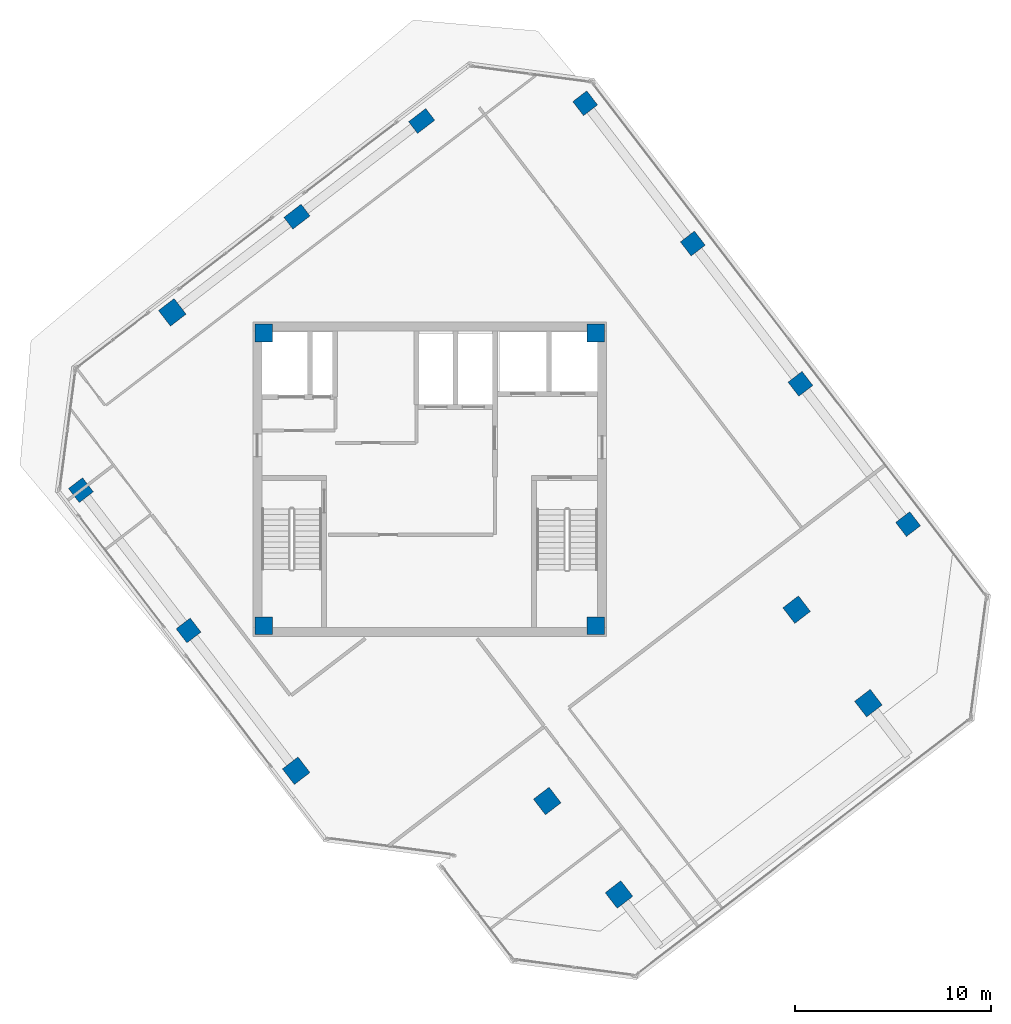
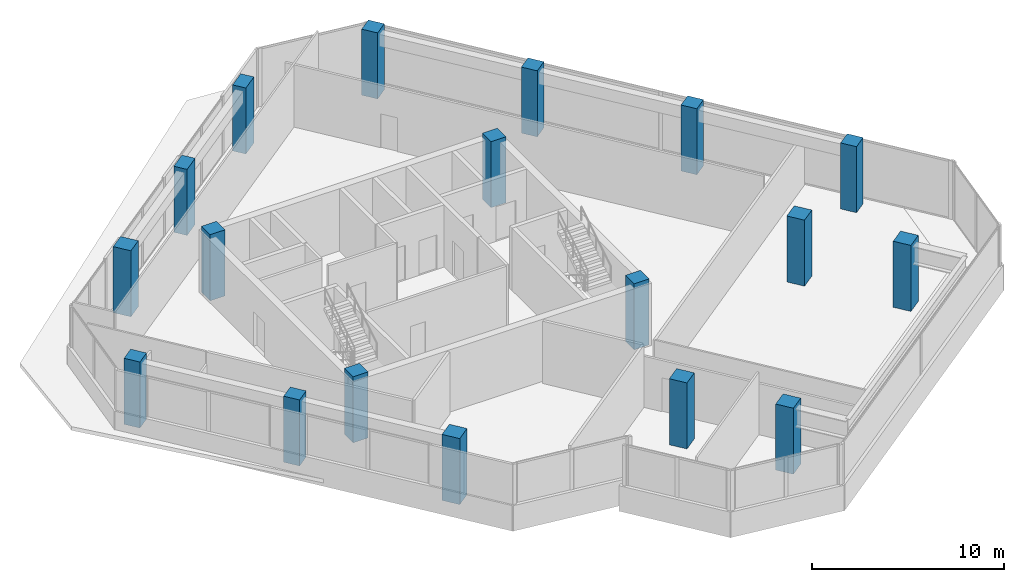
# One storey, part 1 of 17: 18 columns.
"""IFC4 building model written with IfcOpenShell, lengths in metres."""

from ifc_helpers import new_model, si_unit, direction, frame, origin, origin_2d, place, context, subcontext, project, spatial, rectangle, extrude, source, transform, mapped, material, material_profile, profile_set, type_object, element, save


model = new_model("IFC4")

# Units and contexts
model_context = context("Model", 3, precision=1e-05, world=origin(), true_north=direction((0.0, 1.0)))
body_context = subcontext(model_context, "Body", "Model", "MODEL_VIEW")
ifc_project = project(units=[si_unit("LENGTHUNIT", "METRE"), si_unit("AREAUNIT", "SQUARE_METRE"), si_unit("VOLUMEUNIT", "CUBIC_METRE"), si_unit("PLANEANGLEUNIT", "RADIAN"), si_unit("MASSUNIT", "GRAM", prefix="KILO")], contexts=[model_context])

# Site, building, storey
site_placement = place(None, origin())
site = spatial("IfcSite", under=ifc_project, at=site_placement, CompositionType="ELEMENT")
building_placement = place(site_placement, origin())
building = spatial("IfcBuilding", under=site, at=building_placement, Name="Torre Montelarca", CompositionType="ELEMENT")
storey_placement = place(building_placement, frame((0.0, 0.0, 279.39990234375)))
storey = spatial("IfcBuildingStorey", under=building, at=storey_placement, Name="L63", CompositionType="ELEMENT", Elevation=279.39990234375)

# Columns
ifc_material_1 = material(Name="Concrete C55/67", Category="concrete")
ifc_material_profile_1 = material_profile(ifc_material_1, rectangle(XDim=0.89990234375, YDim=0.89990234375, at=origin_2d()), Name="RC900X900", Category="concrete")
ifc_profile_set_1 = profile_set([ifc_material_profile_1], Name="Concrete C55/67")
column_type_1 = type_object("IfcColumnType", Name="COL-RC900", PredefinedType="COLUMN", material=ifc_profile_set_1)
shared_shape_1 = source(origin(), body_context, "Body", "SweptSolid", [
    extrude(rectangle(XDim=0.89990234375, YDim=0.89990234375, at=origin_2d()), origin(), (0.0, 0.0, 1.0), 4.19873046875),
])
for number, where, z_axis, x_axis, name in (
    (1, (9.550048828125, 24.550048828125, 0.000732421875), (0.0, 0.0, 1.0), (1.0, 0.0, 0.0), "L63 Plumb Core Corner Column 2D"),
    (2, (26.449951171875, 24.550048828125, 0.000732421875), (0.0, 0.0, 1.0), (1.0, 0.0, 0.0), "L63 Plumb Core Corner Column 4D"),
    (3, (9.550048828125, 39.449951171875, 0.000732421875), (0.0, 0.0, 1.0), (1.0, 0.0, 0.0), "L63 Plumb Core Corner Column 2F"),
    (4, (26.449951171875, 39.449951171875, 0.000732421875), (0.0, 0.0, 1.0), (1.0, 0.0, 0.0), "L63 Plumb Core Corner Column 4F"),
):
    element("IfcColumn", number, at=place(storey_placement, frame(where, z_axis=z_axis, x_axis=x_axis)), inside=storey, type_object=column_type_1, Name=name, PredefinedType="COLUMN", context=body_context, shape_type="MappedRepresentation", body=[
        mapped(shared_shape_1, transform((0.0, 0.0, 0.0), scale=1.0)),
    ])
ifc_material_profile_2 = material_profile(ifc_material_1, rectangle(XDim=0.89990234375, YDim=0.89990234375, at=origin_2d()), Name="RC900X900", Category="concrete")
ifc_profile_set_2 = profile_set([ifc_material_profile_2], Name="Concrete C55/67")
column_type_2 = type_object("IfcColumnType", Name="COL-RC900-EXT", PredefinedType="COLUMN", material=ifc_profile_set_2)
shared_shape_2 = source(origin(), body_context, "Body", "SweptSolid", [
    extrude(rectangle(XDim=0.89990234375, YDim=0.89990234375, at=origin_2d()), origin(), (0.0, 0.0, 1.0), 4.19873046875),
])
for number, where, z_axis, x_axis, name in (
    (5, (0.244873046875, 31.4462890625, 0.000732421875), (0.0, 0.0, 1.0), (-0.608761429009, 0.793353340291, 0.0), "L63 Column 2/CS"),
    (6, (25.909912109375, 51.1396484375, 0.000732421875), (0.0, 0.0, 1.0), (-0.608761429009, 0.793353340291, 0.0), "L63 Column 2/GN"),
    (7, (5.7236328125, 24.305908203125, 0.000732421875), (0.0, 0.0, 1.0), (-0.608761429009, 0.793353340291, 0.0), "L63 Column 3/CS"),
    (8, (31.388671875, 43.99951171875, 0.000732421875), (0.0, 0.0, 1.0), (-0.608761429009, 0.793353340291, 0.0), "L63 Column 3/GN"),
    (9, (36.867431640625, 36.859375, 0.000732421875), (0.0, 0.0, 1.0), (-0.608761429009, 0.793353340291, 0.0), "L63 Column 4/GN"),
    (10, (42.34619140625, 29.718994140625, 0.000732421875), (0.0, 0.0, 1.0), (-0.608761429009, 0.793353340291, 0.0), "L63 Column 5/GN"),
):
    element("IfcColumn", number, at=place(storey_placement, frame(where, z_axis=z_axis, x_axis=x_axis)), inside=storey, type_object=column_type_2, Name=name, PredefinedType="COLUMN", context=body_context, shape_type="MappedRepresentation", body=[
        mapped(shared_shape_2, transform((0.0, 0.0, 0.0), scale=1.0)),
    ])
ifc_material_profile_3 = material_profile(ifc_material_1, rectangle(XDim=1.0, YDim=1.0, at=origin_2d()), Name="RC1000X1000", Category="concrete")
ifc_profile_set_3 = profile_set([ifc_material_profile_3], Name="Concrete C55/67")
column_type_3 = type_object("IfcColumnType", Name="COL-RC1000-EXT", PredefinedType="COLUMN", material=ifc_profile_set_3)
shared_shape_3 = source(origin(), body_context, "Body", "SweptSolid", [
    extrude(rectangle(XDim=1.0, YDim=1.0, at=origin_2d()), origin(), (0.0, 0.0, 1.0), 4.19873046875),
])
for number, where, z_axis, x_axis, name in (
    (11, (11.202392578125, 17.166015625, 0.000732421875), (0.0, 0.0, 1.0), (-0.608761429009, 0.793353340291, 0.0), "L63 Column 4/CS"),
    (12, (27.6328125, 10.8662109375, 0.000732421875), (0.0, 0.0, 1.0), (-0.608761429009, 0.793353340291, 0.0), "L63 Column 6/D"),
    (13, (40.326416015625, 20.606201171875, 0.000732421875), (0.0, 0.0, 1.0), (-0.608761429009, 0.793353340291, 0.0), "L63 Column 6/F"),
    (14, (4.8955078125, 40.497802734375, 0.000732421875), (0.0, 0.0, 1.0), (-0.608761429009, 0.793353340291, 0.0), "L63 Column 1W/D"),
):
    element("IfcColumn", number, at=place(storey_placement, frame(where, z_axis=z_axis, x_axis=x_axis)), inside=storey, type_object=column_type_3, Name=name, PredefinedType="COLUMN", context=body_context, shape_type="MappedRepresentation", body=[
        mapped(shared_shape_3, transform((0.0, 0.0, 0.0), scale=1.0)),
    ])
ifc_material_profile_4 = material_profile(ifc_material_1, rectangle(XDim=1.0, YDim=1.0, at=origin_2d()), Name="RC1000X1000", Category="concrete")
ifc_profile_set_4 = profile_set([ifc_material_profile_4], Name="Concrete C55/67")
column_type_4 = type_object("IfcColumnType", Name="COL-RC1000", PredefinedType="COLUMN", material=ifc_profile_set_4)
shared_shape_4 = source(origin(), body_context, "Body", "SweptSolid", [
    extrude(rectangle(XDim=1.0, YDim=1.0, at=origin_2d()), origin(), (0.0, 0.0, 1.0), 4.19873046875),
])
for number, where, z_axis, x_axis, name in (
    (15, (23.980224609375, 15.626220703125, 0.000732421875), (0.0, 0.0, 1.0), (-0.608761429009, 0.793353340291, 0.0), "L63 Column 5/D"),
    (16, (36.673828125, 25.366455078125, 0.000732421875), (0.0, 0.0, 1.0), (-0.608761429009, 0.793353340291, 0.0), "L63 Column 5/F"),
):
    element("IfcColumn", number, at=place(storey_placement, frame(where, z_axis=z_axis, x_axis=x_axis)), inside=storey, type_object=column_type_4, Name=name, PredefinedType="COLUMN", context=body_context, shape_type="MappedRepresentation", body=[
        mapped(shared_shape_4, transform((0.0, 0.0, 0.0), scale=1.0)),
    ])
ifc_material_2 = material(Name="Concrete C40/50", Category="concrete")
ifc_material_profile_5 = material_profile(ifc_material_2, rectangle(XDim=0.75, YDim=1.10009765625, at=origin_2d()), Name="RC1100X750", Category="concrete")
ifc_profile_set_5 = profile_set([ifc_material_profile_5], Name="Concrete C40/50")
column_type_5 = type_object("IfcColumnType", Name="COL-PIL1100-EXT", PredefinedType="PILASTER", material=ifc_profile_set_5)
shared_shape_5 = source(origin(), body_context, "Body", "SweptSolid", [
    extrude(rectangle(XDim=0.75, YDim=1.10009765625, at=origin_2d()), origin(), (0.0, 0.0, 1.0), 4.19873046875),
])
for number, where, z_axis, x_axis, name in (
    (17, (11.242431640625, 45.367919921875, 0.000732421875), (0.0, 0.0, 1.0), (-0.608761429009, 0.793353340291, 0.0), "L63 Column 1W/E"),
    (18, (17.589111328125, 50.238037109375, 0.000732421875), (0.0, 0.0, 1.0), (-0.608761429009, 0.793353340291, 0.0), "L63 Column 1W/F"),
):
    element("IfcColumn", number, at=place(storey_placement, frame(where, z_axis=z_axis, x_axis=x_axis)), inside=storey, type_object=column_type_5, Name=name, PredefinedType="PILASTER", context=body_context, shape_type="MappedRepresentation", body=[
        mapped(shared_shape_5, transform((0.0, 0.0, 0.0), scale=1.0)),
    ])

save(model, "model.ifc")
